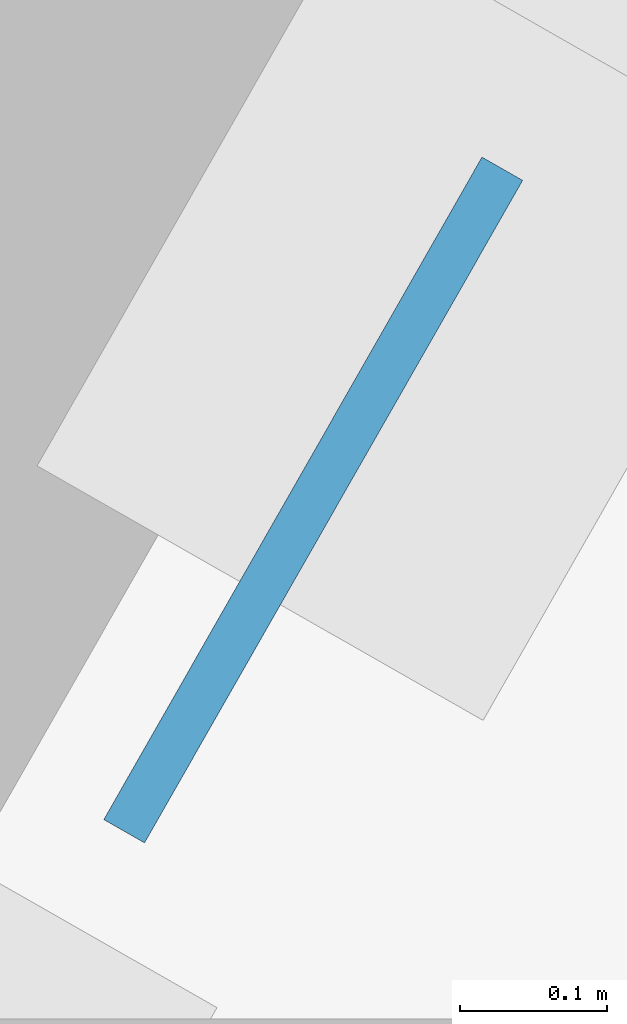
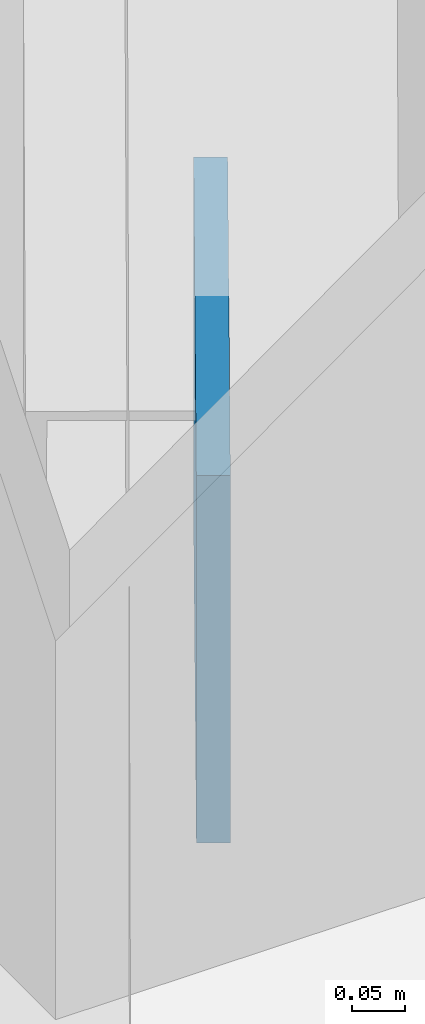
# One storey, part 5 of 12: 1 plate.
"""IFC4 building model written with IfcOpenShell, lengths in metres."""

from ifc_helpers import new_model, si_unit, direction, frame, origin, origin_2d, place, context, subcontext, project, spatial, rectangle, extrude, material, layer, layer_set, type_object, element, save


model = new_model("IFC4")

# Units and contexts
model_context = context("Model", 3, precision=1e-05, world=origin(), true_north=direction((0.0, 1.0)))
body_context = subcontext(model_context, "Body", "Model", "MODEL_VIEW")
ifc_project = project(units=[si_unit("LENGTHUNIT", "METRE"), si_unit("AREAUNIT", "SQUARE_METRE"), si_unit("VOLUMEUNIT", "CUBIC_METRE"), si_unit("PLANEANGLEUNIT", "RADIAN"), si_unit("MASSUNIT", "GRAM", prefix="KILO")], contexts=[model_context])

# Site, building, storey
site_placement = place(None, origin())
site = spatial("IfcSite", under=ifc_project, at=site_placement, CompositionType="ELEMENT")
building_placement = place(site_placement, origin())
building = spatial("IfcBuilding", under=site, at=building_placement, Name="Kavelnor Concourse Tower", CompositionType="ELEMENT")
storey_placement = place(building_placement, frame((0.0, 0.0, 29.10009765625)))
storey = spatial("IfcBuildingStorey", under=building, at=storey_placement, Name="L07", CompositionType="ELEMENT", Elevation=29.10009765625)

# Plate
ifc_material = material(Name="Steel Grade 350", Category="steel")
ifc_layer = layer(ifc_material, 0.031982421875, Name="Steel Grade 350")
ifc_layer_set = layer_set([ifc_layer], Name="Steel Grade 350")
plate_type = type_object("IfcPlateType", Name="PL-GUSSET-TUBE-Z1", PredefinedType="USERDEFINED", material=ifc_layer_set)
plate_placement = place(storey_placement, frame((21.9404296875, 29.58642578125, 0.010009765625), z_axis=(0.0, 0.0, 1.0), x_axis=(0.495761847839, 0.86845851382, 0.0)))
element("IfcPlate", 1, at=plate_placement, inside=storey, type_object=plate_type, Name="L07 Tube Brace Gusset GP3 F0-B2 End Gusset A", ObjectType="GUSSET_PLATE", PredefinedType="USERDEFINED", context=body_context, shape_type="SweptSolid", body=[
    extrude(rectangle(XDim=0.52001953125, YDim=0.031982421875, at=origin_2d()), origin(), (0.0, 0.0, 1.0), 0.419921875),
])

save(model, "model.ifc")
